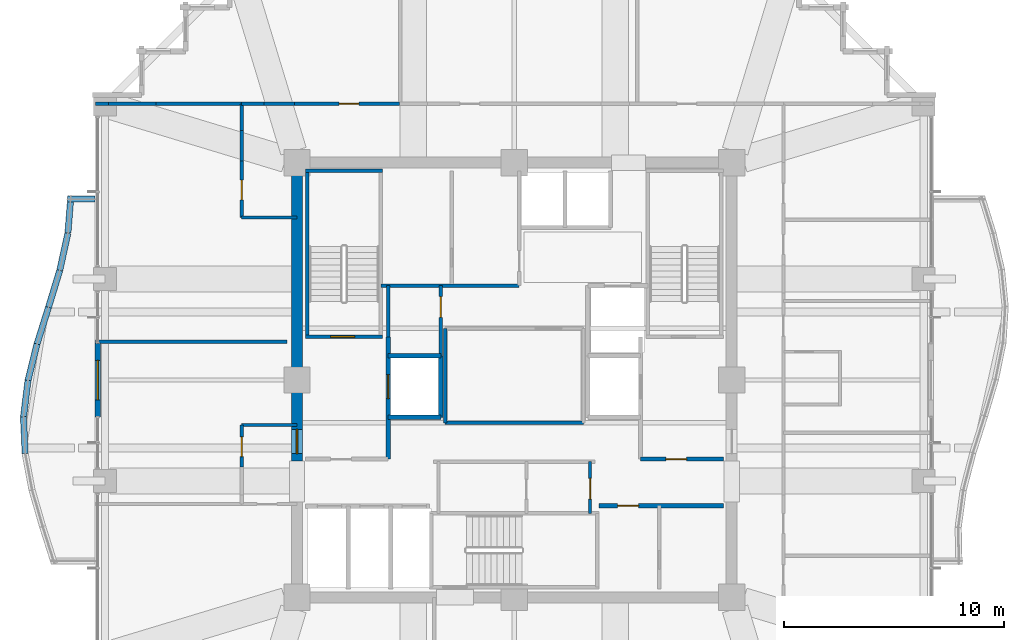
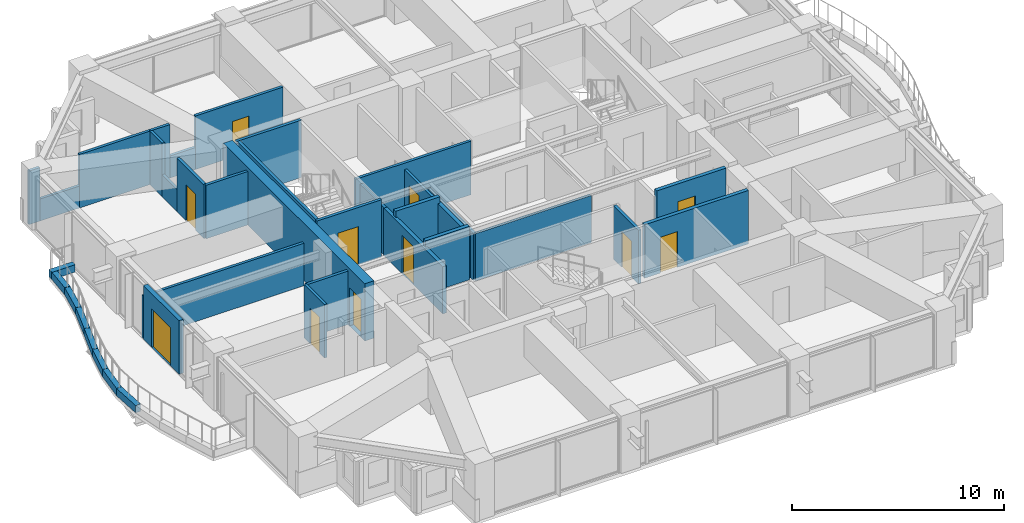
# One storey, part 31 of 36: 38 walls, 11 doors, 11 openings.
"""IFC4 building model written with IfcOpenShell, lengths in metres."""

from ifc_helpers import new_model, si_unit, direction, frame, frame_2d, origin, place, context, subcontext, project, spatial, rectangle, extrude, material, layer, layer_set, type_object, element, fill, save


model = new_model("IFC4")

# Units and contexts
model_context = context("Model", 3, precision=1e-05, world=origin(), true_north=direction((0.0, 1.0)))
body_context = subcontext(model_context, "Body", "Model", "MODEL_VIEW")
ifc_project = project(units=[si_unit("LENGTHUNIT", "METRE"), si_unit("AREAUNIT", "SQUARE_METRE"), si_unit("VOLUMEUNIT", "CUBIC_METRE"), si_unit("PLANEANGLEUNIT", "RADIAN"), si_unit("MASSUNIT", "GRAM", prefix="KILO")], contexts=[model_context])

# Site, building, storey
site_placement = place(None, origin())
site = spatial("IfcSite", under=ifc_project, at=site_placement, CompositionType="ELEMENT")
building_placement = place(site_placement, origin())
building = spatial("IfcBuilding", under=site, at=building_placement, Name="Kolvaren Belvedere", CompositionType="ELEMENT")
storey_placement = place(building_placement, frame((0.0, 0.0, 108.5)))
storey = spatial("IfcBuildingStorey", under=building, at=storey_placement, Name="L31", CompositionType="ELEMENT", Elevation=108.5)

# Wall, opening, door
ifc_material_1 = material(Name="Concrete C50/60", Category="concrete")
ifc_layer_1 = layer(ifc_material_1, 0.5)
ifc_layer_set_1 = layer_set([ifc_layer_1], Name="Concrete C50/60")
wall_type_1 = type_object("IfcWallType", Name="CW-CORE-500", PredefinedType="SHEAR", material=ifc_layer_set_1)
wall_1_placement = place(storey_placement, frame((-9.89990234375, -3.699951171875, 0.0), z_axis=(0.0, 0.0, 1.0), x_axis=(0.0, 1.0, 0.0)))
wall_1 = element("IfcWall", 1, at=wall_1_placement, inside=storey, type_object=wall_type_1, Name="L31 West Core Shear Wall 2", PredefinedType="SHEAR", context=body_context, shape_type="SweptSolid", body=[
    extrude(rectangle(XDim=13.349853515625, YDim=0.5, at=frame_2d((6.6748046875, 0.0))), origin(), (0.0, 0.0, 1.0), 3.300048828125),
])
opening_1_placement = place(wall_1_placement, frame((0.35009765625, 0.0, 0.0)))
opening_1 = element("IfcOpeningElement", 2, at=opening_1_placement, cuts=wall_1, Name="Opening D-FD90", PredefinedType="OPENING", context=body_context, shape_type="SweptSolid", body=[
    extrude(rectangle(XDim=1.10009765625, YDim=2.199951171875, at=frame_2d((0.550048828125, 1.10009765625))), frame((0.0, 0.260009765625, 0.0), z_axis=(0.0, -1.0, 0.0), x_axis=(1.0, 0.0, 0.0)), (0.0, 0.0, 1.0), 0.52001953125),
])
ifc_material_2 = material(Name="Painted hollow stainless steel", Category="steel")
door_type_1 = type_object("IfcDoorType", Name="DR-FD90-1100", OperationType="NOTDEFINED", PredefinedType="DOOR", material=ifc_material_2)
door_1_placement = place(opening_1_placement, origin())
door_1 = element("IfcDoor", 3, at=door_1_placement, inside=storey, type_object=door_type_1, Name="L31 West Firefighting Lobby Fire Door", OperationType="SINGLE_SWING_LEFT", OverallHeight=2.199951171875, OverallWidth=1.10009765625, PredefinedType="DOOR", context=body_context, shape_type="SweptSolid", body=[
    extrude(rectangle(XDim=1.10009765625, YDim=2.199951171875, at=frame_2d((0.550048828125, 1.10009765625))), frame((0.0, 0.02490234375, 0.0), z_axis=(0.0, -1.0, 0.0), x_axis=(1.0, 0.0, 0.0)), (0.0, 0.0, 1.0), 0.050048828125),
])
fill(opening_1, door_1)

ifc_material_3 = material(Name="Concrete C50/60", Category="concrete")
ifc_layer_2 = layer(ifc_material_3, 0.159912109375)
ifc_layer_set_2 = layer_set([ifc_layer_2], Name="Concrete C50/60")
wall_type_2 = type_object("IfcWallType", Name="CW-STAIR-160", PredefinedType="SHEAR", material=ifc_layer_set_2)
wall_2_placement = place(storey_placement, frame((-9.52001953125, 1.969970703125, 0.0), z_axis=(0.0, 0.0, 1.0), x_axis=(1.0, 0.0, 0.0)))
wall_2 = element("IfcWall", 4, at=wall_2_placement, inside=storey, type_object=wall_type_2, Name="L31 Stair ST-1 South Shear Wall", PredefinedType="SHEAR", context=body_context, shape_type="SweptSolid", body=[
    extrude(rectangle(XDim=3.52001953125, YDim=0.159912109375, at=frame_2d((1.760009765625, 0.0))), origin(), (0.0, 0.0, 1.0), 3.300048828125),
])
opening_2_placement = place(wall_2_placement, frame((1.14990234375, 0.0, 0.0)))
opening_2 = element("IfcOpeningElement", 5, at=opening_2_placement, cuts=wall_2, Name="Opening D-FD90", PredefinedType="OPENING", context=body_context, shape_type="SweptSolid", body=[
    extrude(rectangle(XDim=1.10009765625, YDim=2.199951171875, at=frame_2d((0.550048828125, 1.10009765625))), frame((0.0, 0.08984375, 0.0), z_axis=(0.0, -1.0, 0.0), x_axis=(1.0, 0.0, 0.0)), (0.0, 0.0, 1.0), 0.179931640625),
])
door_2_placement = place(opening_2_placement, origin())
door_2 = element("IfcDoor", 6, at=door_2_placement, inside=storey, type_object=door_type_1, Name="L31 Stair ST-1 Fire Door", OperationType="SINGLE_SWING_LEFT", OverallHeight=2.199951171875, OverallWidth=1.10009765625, PredefinedType="DOOR", context=body_context, shape_type="SweptSolid", body=[
    extrude(rectangle(XDim=1.10009765625, YDim=2.199951171875, at=frame_2d((0.550048828125, 1.10009765625))), frame((0.0, 0.02490234375, 0.0), z_axis=(0.0, -1.0, 0.0), x_axis=(1.0, 0.0, 0.0)), (0.0, 0.0, 1.0), 0.050048828125),
])
fill(opening_2, door_2)

# Walls
wall_3_placement = place(storey_placement, frame((-9.52001953125, 9.530029296875, 0.0), z_axis=(0.0, 0.0, 1.0), x_axis=(1.0, 0.0, 0.0)))
element("IfcWall", 7, at=wall_3_placement, inside=storey, type_object=wall_type_2, Name="L31 Stair ST-1 North Shear Wall", PredefinedType="SHEAR", context=body_context, shape_type="SweptSolid", body=[
    extrude(rectangle(XDim=3.52001953125, YDim=0.159912109375, at=frame_2d((1.760009765625, 0.0))), origin(), (0.0, 0.0, 1.0), 3.300048828125),
])
wall_4_placement = place(storey_placement, frame((-9.429931640625, 1.969970703125, 0.0), z_axis=(0.0, 0.0, 1.0), x_axis=(0.0, 1.0, 0.0)))
element("IfcWall", 8, at=wall_4_placement, inside=storey, type_object=wall_type_2, Name="L31 Stair ST-1 West Shear Wall", PredefinedType="SHEAR", context=body_context, shape_type="SweptSolid", body=[
    extrude(rectangle(XDim=7.56005859375, YDim=0.159912109375, at=frame_2d((3.780029296875, 0.0))), origin(), (0.0, 0.0, 1.0), 3.300048828125),
])
ifc_material_4 = material(Name="Gypsum fire-rated partition assembly", Category="gypsum")
ifc_layer_3 = layer(ifc_material_4, 0.14990234375)
ifc_layer_set_3 = layer_set([ifc_layer_3], Name="Gypsum fire-rated partition assembly")
wall_type_3 = type_object("IfcWallType", Name="WL-CORR-150", PredefinedType="PARTITIONING", material=ifc_layer_set_3)
wall_5_placement = place(storey_placement, frame((-12.419921875, 12.580078125, 0.0), z_axis=(0.0, 0.0, 1.0), x_axis=(1.0, 0.0, 0.0)))
element("IfcWall", 9, at=wall_5_placement, inside=storey, type_object=wall_type_3, Name="L31 North Corridor Wall", PredefinedType="PARTITIONING", context=body_context, shape_type="SweptSolid", body=[
    extrude(rectangle(XDim=1.012451171875, YDim=0.14990234375, at=frame_2d((0.50634765625, 0.0))), origin(), (0.0, 0.0, 1.0), 3.080078125),
])
wall_6_placement = place(storey_placement, frame((-11.407470703125, 12.580078125, 0.0), z_axis=(0.0, 0.0, 1.0), x_axis=(1.0, 0.0, 0.0)))
element("IfcWall", 10, at=wall_6_placement, inside=storey, type_object=wall_type_3, Name="L31 North Corridor Wall", PredefinedType="PARTITIONING", context=body_context, shape_type="SweptSolid", body=[
    extrude(rectangle(XDim=1.3916015625, YDim=0.14990234375, at=frame_2d((0.69580078125, 0.0))), origin(), (0.0, 0.0, 1.0), 1.264892578125),
])

# Wall, opening, door
wall_7_placement = place(storey_placement, frame((-10.015869140625, 12.580078125, 0.0), z_axis=(0.0, 0.0, 1.0), x_axis=(1.0, 0.0, 0.0)))
wall_7 = element("IfcWall", 11, at=wall_7_placement, inside=storey, type_object=wall_type_3, Name="L31 North Corridor Wall", PredefinedType="PARTITIONING", context=body_context, shape_type="SweptSolid", body=[
    extrude(rectangle(XDim=4.77392578125, YDim=0.14990234375, at=frame_2d((2.386962890625, 0.0))), origin(), (0.0, 0.0, 1.0), 3.080078125),
])
opening_3_placement = place(wall_7_placement, frame((2.03076171875, 0.0, 0.0)))
opening_3 = element("IfcOpeningElement", 12, at=opening_3_placement, cuts=wall_7, Name="Opening D-INT90", PredefinedType="OPENING", context=body_context, shape_type="SweptSolid", body=[
    extrude(rectangle(XDim=0.89990234375, YDim=2.06005859375, at=frame_2d((0.449951171875, 1.030029296875))), frame((0.0, 0.0849609375, 0.0), z_axis=(0.0, -1.0, 0.0), x_axis=(1.0, 0.0, 0.0)), (0.0, 0.0, 1.0), 0.169921875),
])
ifc_material_5 = material(Name="Stained Pacific white oak", Category="timber")
door_type_2 = type_object("IfcDoorType", Name="DR-INT-900", OperationType="NOTDEFINED", PredefinedType="DOOR", material=ifc_material_5)
door_3_placement = place(opening_3_placement, origin())
door_3 = element("IfcDoor", 13, at=door_3_placement, inside=storey, type_object=door_type_2, Name="L31 Private Hospitality Meeting Room 3101 Door", OperationType="SINGLE_SWING_RIGHT", OverallHeight=2.06005859375, OverallWidth=0.89990234375, PredefinedType="DOOR", context=body_context, shape_type="SweptSolid", body=[
    extrude(rectangle(XDim=0.89990234375, YDim=2.06005859375, at=frame_2d((0.449951171875, 1.030029296875))), frame((0.0, 0.02490234375, 0.0), z_axis=(0.0, -1.0, 0.0), x_axis=(1.0, 0.0, 0.0)), (0.0, 0.0, 1.0), 0.050048828125),
])
fill(opening_3, door_3)

wall_8_placement = place(storey_placement, frame((-12.419921875, 7.39990234375, 0.0), z_axis=(0.0, 0.0, 1.0), x_axis=(0.0, 1.0, 0.0)))
wall_8 = element("IfcWall", 14, at=wall_8_placement, inside=storey, type_object=wall_type_3, Name="L31 NW Corridor End Wall", PredefinedType="PARTITIONING", context=body_context, shape_type="SweptSolid", body=[
    extrude(rectangle(XDim=2.5673828125, YDim=0.14990234375, at=frame_2d((1.28369140625, 0.0))), origin(), (0.0, 0.0, 1.0), 3.080078125),
])
opening_4_placement = place(wall_8_placement, frame((0.81201171875, 0.0, 0.0)))
opening_4 = element("IfcOpeningElement", 15, at=opening_4_placement, cuts=wall_8, Name="Opening D-INT90", PredefinedType="OPENING", context=body_context, shape_type="SweptSolid", body=[
    extrude(rectangle(XDim=0.89990234375, YDim=2.06005859375, at=frame_2d((0.449951171875, 1.030029296875))), frame((0.0, 0.0849609375, 0.0), z_axis=(0.0, -1.0, 0.0), x_axis=(1.0, 0.0, 0.0)), (0.0, 0.0, 1.0), 0.169921875),
])
door_4_placement = place(opening_4_placement, origin())
door_4 = element("IfcDoor", 16, at=door_4_placement, inside=storey, type_object=door_type_2, Name="L31 Lounge 3109 Door", OperationType="SINGLE_SWING_LEFT", OverallHeight=2.06005859375, OverallWidth=0.89990234375, PredefinedType="DOOR", context=body_context, shape_type="SweptSolid", body=[
    extrude(rectangle(XDim=0.89990234375, YDim=2.06005859375, at=frame_2d((0.449951171875, 1.030029296875))), frame((0.0, 0.02490234375, 0.0), z_axis=(0.0, -1.0, 0.0), x_axis=(1.0, 0.0, 0.0)), (0.0, 0.0, 1.0), 0.050048828125),
])
fill(opening_4, door_4)

# Walls
wall_9_placement = place(storey_placement, frame((-12.419921875, 9.96728515625, 0.0), z_axis=(0.0, 0.0, 1.0), x_axis=(0.0, 1.0, 0.0)))
element("IfcWall", 17, at=wall_9_placement, inside=storey, type_object=wall_type_3, Name="L31 NW Corridor End Wall", PredefinedType="PARTITIONING", context=body_context, shape_type="SweptSolid", body=[
    extrude(rectangle(XDim=1.3916015625, YDim=0.14990234375, at=frame_2d((0.69580078125, 0.0))), origin(), (0.0, 0.0, 1.0), 1.264892578125),
])
wall_10_placement = place(storey_placement, frame((-12.419921875, 11.35888671875, 0.0), z_axis=(0.0, 0.0, 1.0), x_axis=(0.0, 1.0, 0.0)))
element("IfcWall", 18, at=wall_10_placement, inside=storey, type_object=wall_type_3, Name="L31 NW Corridor End Wall", PredefinedType="PARTITIONING", context=body_context, shape_type="SweptSolid", body=[
    extrude(rectangle(XDim=1.22119140625, YDim=0.14990234375, at=frame_2d((0.610595703125, 0.0))), origin(), (0.0, 0.0, 1.0), 3.080078125),
])
wall_11_placement = place(storey_placement, frame((-12.419921875, 7.39990234375, 0.0), z_axis=(0.0, 0.0, 1.0), x_axis=(1.0, 0.0, 0.0)))
element("IfcWall", 19, at=wall_11_placement, inside=storey, type_object=wall_type_3, Name="L31 NW Core Closure Wall", PredefinedType="PARTITIONING", context=body_context, shape_type="SweptSolid", body=[
    extrude(rectangle(XDim=2.52001953125, YDim=0.14990234375, at=frame_2d((1.260009765625, 0.0))), origin(), (0.0, 0.0, 1.0), 3.080078125),
])

# Wall, opening, door
wall_12_placement = place(storey_placement, frame((-12.419921875, -3.9580078125, 0.0), z_axis=(0.0, 0.0, 1.0), x_axis=(0.0, 1.0, 0.0)))
wall_12 = element("IfcWall", 20, at=wall_12_placement, inside=storey, type_object=wall_type_3, Name="L31 West FSAE Pocket Wall", PredefinedType="PARTITIONING", context=body_context, shape_type="SweptSolid", body=[
    extrude(rectangle(XDim=1.907958984375, YDim=0.14990234375, at=frame_2d((0.9541015625, 0.0))), origin(), (0.0, 0.0, 1.0), 3.080078125),
])
opening_5_placement = place(wall_12_placement, frame((0.464111328125, 0.0, 0.0)))
opening_5 = element("IfcOpeningElement", 21, at=opening_5_placement, cuts=wall_12, Name="Opening D-INT90", PredefinedType="OPENING", context=body_context, shape_type="SweptSolid", body=[
    extrude(rectangle(XDim=0.89990234375, YDim=2.06005859375, at=frame_2d((0.449951171875, 1.030029296875))), frame((0.0, 0.0849609375, 0.0), z_axis=(0.0, -1.0, 0.0), x_axis=(1.0, 0.0, 0.0)), (0.0, 0.0, 1.0), 0.169921875),
])
door_5_placement = place(opening_5_placement, origin())
door_5 = element("IfcDoor", 22, at=door_5_placement, inside=storey, type_object=door_type_2, Name="L31 Lounge 3110 Door", OperationType="SINGLE_SWING_RIGHT", OverallHeight=2.06005859375, OverallWidth=0.89990234375, PredefinedType="DOOR", context=body_context, shape_type="SweptSolid", body=[
    extrude(rectangle(XDim=0.89990234375, YDim=2.06005859375, at=frame_2d((0.449951171875, 1.030029296875))), frame((0.0, 0.02490234375, 0.0), z_axis=(0.0, -1.0, 0.0), x_axis=(1.0, 0.0, 0.0)), (0.0, 0.0, 1.0), 0.050048828125),
])
fill(opening_5, door_5)

# Wall
wall_13_placement = place(storey_placement, frame((-12.419921875, -2.050048828125, 0.0), z_axis=(0.0, 0.0, 1.0), x_axis=(1.0, 0.0, 0.0)))
element("IfcWall", 23, at=wall_13_placement, inside=storey, type_object=wall_type_3, Name="L31 West Pocket North Closure Wall", PredefinedType="PARTITIONING", context=body_context, shape_type="SweptSolid", body=[
    extrude(rectangle(XDim=2.52001953125, YDim=0.14990234375, at=frame_2d((1.260009765625, 0.0))), origin(), (0.0, 0.0, 1.0), 3.080078125),
])

# Wall, opening, door
ifc_material_6 = material(Name="Insulated pale-metal facade wall assembly", Category="aluminium")
ifc_layer_4 = layer(ifc_material_6, 0.239990234375)
ifc_layer_set_4 = layer_set([ifc_layer_4], Name="Insulated pale-metal facade wall assembly")
wall_type_4 = type_object("IfcWallType", Name="WL-EXT-240", PredefinedType="STANDARD", material=ifc_layer_set_4)
wall_14_placement = place(storey_placement, frame((-18.97998046875, -1.679931640625, 0.0), z_axis=(0.0, 0.0, 1.0), x_axis=(0.0, 1.0, 0.0)))
wall_14 = element("IfcWall", 24, at=wall_14_placement, inside=storey, type_object=wall_type_4, Name="L31 West Terrace Portal Wall", PredefinedType="STANDARD", context=body_context, shape_type="SweptSolid", body=[
    extrude(rectangle(XDim=3.35986328125, YDim=0.239990234375, at=frame_2d((1.679931640625, 0.0))), origin(), (0.0, 0.0, 1.0), 3.080078125),
])
opening_6_placement = place(wall_14_placement, frame((0.780029296875, 0.0, 0.0)))
opening_6 = element("IfcOpeningElement", 25, at=opening_6_placement, cuts=wall_14, Name="Opening DB-1800", PredefinedType="OPENING", context=body_context, shape_type="SweptSolid", body=[
    extrude(rectangle(XDim=1.800048828125, YDim=2.199951171875, at=frame_2d((0.89990234375, 1.10009765625))), frame((0.0, 0.1298828125, 0.0), z_axis=(0.0, -1.0, 0.0), x_axis=(1.0, 0.0, 0.0)), (0.0, 0.0, 1.0), 0.260009765625),
])
ifc_material_7 = material(Name="Thermally broken pale-metal aluminium & low-iron glass", Category="aluminium")
door_type_3 = type_object("IfcDoorType", Name="DR-BAL-1800", OperationType="DOUBLE_DOOR_SLIDING", PredefinedType="DOOR", material=ifc_material_7)
door_6_placement = place(opening_6_placement, origin())
door_6 = element("IfcDoor", 26, at=door_6_placement, inside=storey, type_object=door_type_3, Name="L31 West Planted Terrace Sliding Door", OperationType="DOUBLE_DOOR_SLIDING", OverallHeight=2.199951171875, OverallWidth=1.800048828125, PredefinedType="DOOR", context=body_context, shape_type="SweptSolid", body=[
    extrude(rectangle(XDim=1.800048828125, YDim=2.199951171875, at=frame_2d((0.89990234375, 1.10009765625))), frame((0.0, 0.02490234375, 0.0), z_axis=(0.0, -1.0, 0.0), x_axis=(1.0, 0.0, 0.0)), (0.0, 0.0, 1.0), 0.050048828125),
])
fill(opening_6, door_6)

# Walls
ifc_material_8 = material(Name="Fire-rated laminated glass partition", Category="glass")
ifc_layer_5 = layer(ifc_material_8, 0.14990234375)
ifc_layer_set_5 = layer_set([ifc_layer_5], Name="Fire-rated laminated glass partition")
wall_type_5 = type_object("IfcWallType", Name="WL-GLAZ-150", PredefinedType="PARTITIONING", material=ifc_layer_set_5)
wall_15_placement = place(storey_placement, frame((-3.14990234375, -1.949951171875, 0.0), z_axis=(0.0, 0.0, 1.0), x_axis=(1.0, 0.0, 0.0)))
element("IfcWall", 27, at=wall_15_placement, inside=storey, type_object=wall_type_5, Name="L31 Atrium Glazed Screen South", PredefinedType="PARTITIONING", context=body_context, shape_type="SweptSolid", body=[
    extrude(rectangle(XDim=6.2998046875, YDim=0.14990234375, at=frame_2d((3.14990234375, 0.0))), origin(), (0.0, 0.0, 1.0), 2.715087890625),
])
wall_16_placement = place(storey_placement, frame((-3.14990234375, -1.949951171875, 0.0), z_axis=(0.0, 0.0, 1.0), x_axis=(0.0, 1.0, 0.0)))
element("IfcWall", 28, at=wall_16_placement, inside=storey, type_object=wall_type_5, Name="L31 Atrium Glazed Screen West", PredefinedType="PARTITIONING", context=body_context, shape_type="SweptSolid", body=[
    extrude(rectangle(XDim=4.300048828125, YDim=0.14990234375, at=frame_2d((2.14990234375, 0.0))), origin(), (0.0, 0.0, 1.0), 2.715087890625),
])
ifc_material_9 = material(Name="Gypsum acoustic partition assembly", Category="gypsum")
ifc_layer_6 = layer(ifc_material_9, 0.14990234375)
ifc_layer_set_6 = layer_set([ifc_layer_6], Name="Gypsum acoustic partition assembly")
wall_type_6 = type_object("IfcWallType", Name="WL-PART-150", PredefinedType="PARTITIONING", material=ifc_layer_set_6)
wall_17_placement = place(storey_placement, frame((-6.080078125, 4.300048828125, 0.0), z_axis=(0.0, 0.0, 1.0), x_axis=(1.0, 0.0, 0.0)))
element("IfcWall", 29, at=wall_17_placement, inside=storey, type_object=wall_type_6, Name="L31 Reclaimed Salon South Wall", PredefinedType="PARTITIONING", context=body_context, shape_type="SweptSolid", body=[
    extrude(rectangle(XDim=6.300048828125, YDim=0.14990234375, at=frame_2d((3.14990234375, 0.0))), origin(), (0.0, 0.0, 1.0), 3.080078125),
])

# Wall, opening, door
wall_18_placement = place(storey_placement, frame((3.449951171875, -6.080078125, 0.0), z_axis=(0.0, 0.0, 1.0), x_axis=(0.0, 1.0, 0.0)))
wall_18 = element("IfcWall", 30, at=wall_18_placement, inside=storey, type_object=wall_type_6, Name="L31 South Core Service East Wall", PredefinedType="PARTITIONING", context=body_context, shape_type="SweptSolid", body=[
    extrude(rectangle(XDim=2.360107421875, YDim=0.14990234375, at=frame_2d((1.18017578125, 0.0))), origin(), (0.0, 0.0, 1.0), 3.080078125),
])
opening_7_placement = place(wall_18_placement, frame((0.64990234375, 0.0, 0.0)))
opening_7 = element("IfcOpeningElement", 31, at=opening_7_placement, cuts=wall_18, Name="Opening D-FD60", PredefinedType="OPENING", context=body_context, shape_type="SweptSolid", body=[
    extrude(rectangle(XDim=0.949951171875, YDim=2.06005859375, at=frame_2d((0.47509765625, 1.030029296875))), frame((0.0, 0.0849609375, 0.0), z_axis=(0.0, -1.0, 0.0), x_axis=(1.0, 0.0, 0.0)), (0.0, 0.0, 1.0), 0.169921875),
])
ifc_material_10 = material(Name="Acoustic white-oak fire door leaf", Category="timber")
door_type_4 = type_object("IfcDoorType", Name="DR-FD60-950", OperationType="NOTDEFINED", PredefinedType="DOOR", material=ifc_material_10)
door_7_placement = place(opening_7_placement, origin())
door_7 = element("IfcDoor", 32, at=door_7_placement, inside=storey, type_object=door_type_4, Name="L31 Core Service Room Door", OperationType="SINGLE_SWING_LEFT", OverallHeight=2.06005859375, OverallWidth=0.949951171875, PredefinedType="DOOR", context=body_context, shape_type="SweptSolid", body=[
    extrude(rectangle(XDim=0.949951171875, YDim=2.06005859375, at=frame_2d((0.47509765625, 1.030029296875))), frame((0.0, 0.02490234375, 0.0), z_axis=(0.0, -1.0, 0.0), x_axis=(1.0, 0.0, 0.0)), (0.0, 0.0, 1.0), 0.050048828125),
])
fill(opening_7, door_7)

wall_19_placement = place(storey_placement, frame((-3.35009765625, 1.10009765625, 0.0), z_axis=(0.0, 0.0, 1.0), x_axis=(0.0, 1.0, 0.0)))
wall_19 = element("IfcWall", 33, at=wall_19_placement, inside=storey, type_object=wall_type_6, Name="L31 NW Service Room East Wall", PredefinedType="PARTITIONING", context=body_context, shape_type="SweptSolid", body=[
    extrude(rectangle(XDim=3.199951171875, YDim=0.14990234375, at=frame_2d((1.60009765625, 0.0))), origin(), (0.0, 0.0, 1.0), 2.715087890625),
])
opening_8_placement = place(wall_19_placement, frame((1.75, 0.0, 0.0)))
opening_8 = element("IfcOpeningElement", 34, at=opening_8_placement, cuts=wall_19, Name="Opening D-FD60", PredefinedType="OPENING", context=body_context, shape_type="SweptSolid", body=[
    extrude(rectangle(XDim=0.949951171875, YDim=2.06005859375, at=frame_2d((0.47509765625, 1.030029296875))), frame((0.0, 0.0849609375, 0.0), z_axis=(0.0, -1.0, 0.0), x_axis=(1.0, 0.0, 0.0)), (0.0, 0.0, 1.0), 0.169921875),
])
door_8_placement = place(opening_8_placement, origin())
door_8 = element("IfcDoor", 35, at=door_8_placement, inside=storey, type_object=door_type_4, Name="L31 NW Core Store Door", OperationType="SINGLE_SWING_LEFT", OverallHeight=2.06005859375, OverallWidth=0.949951171875, PredefinedType="DOOR", context=body_context, shape_type="SweptSolid", body=[
    extrude(rectangle(XDim=0.949951171875, YDim=2.06005859375, at=frame_2d((0.47509765625, 1.030029296875))), frame((0.0, 0.02490234375, 0.0), z_axis=(0.0, -1.0, 0.0), x_axis=(1.0, 0.0, 0.0)), (0.0, 0.0, 1.0), 0.050048828125),
])
fill(opening_8, door_8)

# Walls
wall_20_placement = place(storey_placement, frame((-5.75, 1.969970703125, 0.0), z_axis=(0.0, 0.0, 1.0), x_axis=(0.0, 1.0, 0.0)))
element("IfcWall", 36, at=wall_20_placement, inside=storey, type_object=wall_type_6, Name="L31 NW Service Room West Wall", PredefinedType="PARTITIONING", context=body_context, shape_type="SweptSolid", body=[
    extrude(rectangle(XDim=2.330078125, YDim=0.14990234375, at=frame_2d((1.1650390625, 0.0))), origin(), (0.0, 0.0, 1.0), 2.715087890625),
])
wall_21_placement = place(storey_placement, frame((-19.080078125, 12.580078125, 0.0), z_axis=(0.0, 0.0, 1.0), x_axis=(1.0, 0.0, 0.0)))
element("IfcWall", 37, at=wall_21_placement, inside=storey, type_object=wall_type_6, Name="L31 Wing Divider PW-L31-QNW", PredefinedType="PARTITIONING", context=body_context, shape_type="SweptSolid", body=[
    extrude(rectangle(XDim=0.602294921875, YDim=0.14990234375, at=frame_2d((0.30126953125, 0.0))), origin(), (0.0, 0.0, 1.0), 3.080078125),
])
wall_22_placement = place(storey_placement, frame((-18.477783203125, 12.580078125, 0.0), z_axis=(0.0, 0.0, 1.0), x_axis=(1.0, 0.0, 0.0)))
element("IfcWall", 38, at=wall_22_placement, inside=storey, type_object=wall_type_6, Name="L31 Wing Divider PW-L31-QNW", PredefinedType="PARTITIONING", context=body_context, shape_type="SweptSolid", body=[
    extrude(rectangle(XDim=2.1572265625, YDim=0.14990234375, at=frame_2d((1.07861328125, 0.0))), origin(), (0.0, 0.0, 1.0), 1.264892578125),
])
wall_23_placement = place(storey_placement, frame((-16.320556640625, 12.580078125, 0.0), z_axis=(0.0, 0.0, 1.0), x_axis=(1.0, 0.0, 0.0)))
element("IfcWall", 39, at=wall_23_placement, inside=storey, type_object=wall_type_6, Name="L31 Wing Divider PW-L31-QNW", PredefinedType="PARTITIONING", context=body_context, shape_type="SweptSolid", body=[
    extrude(rectangle(XDim=3.900634765625, YDim=0.14990234375, at=frame_2d((1.9501953125, 0.0))), origin(), (0.0, 0.0, 1.0), 3.080078125),
])
wall_24_placement = place(storey_placement, frame((-19.080078125, 1.75, 0.0), z_axis=(0.0, 0.0, 1.0), x_axis=(1.0, 0.0, 0.0)))
element("IfcWall", 40, at=wall_24_placement, inside=storey, type_object=wall_type_6, Name="L31 West Upper Suite Divider", PredefinedType="PARTITIONING", context=body_context, shape_type="SweptSolid", body=[
    extrude(rectangle(XDim=8.719970703125, YDim=0.14990234375, at=frame_2d((4.35986328125, 0.0))), origin(), (0.0, 0.0, 1.0), 2.448974609375),
])
ifc_material_11 = material(Name="Precast concrete C40/50", Category="concrete")
ifc_layer_7 = layer(ifc_material_11, 0.300048828125)
ifc_layer_set_7 = layer_set([ifc_layer_7], Name="Precast concrete C40/50")
wall_type_7 = type_object("IfcWallType", Name="WL-PLANTER-300", PredefinedType="PARAPET", material=ifc_layer_set_7)
wall_25_placement = place(storey_placement, frame((-20.200439453125, 8.38720703125, -0.0400390625), z_axis=(0.0, 0.0, 1.0), x_axis=(-0.079244268248, -0.99685522818, 0.0)))
element("IfcWall", 41, at=wall_25_placement, inside=storey, type_object=wall_type_7, Name="L31 Precast Structural Planter Wall BAL-W-1", PredefinedType="PARAPET", context=body_context, shape_type="SweptSolid", body=[
    extrude(rectangle(XDim=1.685302734375, YDim=0.280029296875, at=frame_2d((0.8427734375, 0.0))), origin(), (0.0, 0.0, 1.0), 0.419921875),
])
wall_26_placement = place(storey_placement, frame((-20.33740234375, 6.685791015625, -0.0400390625), z_axis=(0.0, 0.0, 1.0), x_axis=(-0.213802724545, -0.976876857632, 0.0)))
element("IfcWall", 42, at=wall_26_placement, inside=storey, type_object=wall_type_7, Name="L31 Precast Structural Planter Wall BAL-W-2", PredefinedType="PARAPET", context=body_context, shape_type="SweptSolid", body=[
    extrude(rectangle(XDim=1.7197265625, YDim=0.280029296875, at=frame_2d((0.85986328125, 0.0))), origin(), (0.0, 0.0, 1.0), 0.419921875),
])
wall_27_placement = place(storey_placement, frame((-20.708251953125, 4.993408203125, -0.0400390625), z_axis=(0.0, 0.0, 1.0), x_axis=(-0.290879426191, -0.956759718748, 0.0)))
element("IfcWall", 43, at=wall_27_placement, inside=storey, type_object=wall_type_7, Name="L31 Precast Structural Planter Wall BAL-W-3", PredefinedType="PARAPET", context=body_context, shape_type="SweptSolid", body=[
    extrude(rectangle(XDim=1.755859375, YDim=0.280029296875, at=frame_2d((0.8779296875, 0.0))), origin(), (0.0, 0.0, 1.0), 0.419921875),
])
wall_28_placement = place(storey_placement, frame((-21.219482421875, 3.31201171875, -0.0400390625), z_axis=(0.0, 0.0, 1.0), x_axis=(-0.299750886874, -0.95401750813, 0.0)))
element("IfcWall", 44, at=wall_28_placement, inside=storey, type_object=wall_type_7, Name="L31 Precast Structural Planter Wall BAL-W-4", PredefinedType="PARAPET", context=body_context, shape_type="SweptSolid", body=[
    extrude(rectangle(XDim=1.760986328125, YDim=0.280029296875, at=frame_2d((0.88037109375, 0.0))), origin(), (0.0, 0.0, 1.0), 0.419921875),
])
wall_29_placement = place(storey_placement, frame((-21.744384765625, 1.6416015625, -0.0400390625), z_axis=(0.0, 0.0, 1.0), x_axis=(-0.239180748277, -0.970975061293, 0.0)))
element("IfcWall", 45, at=wall_29_placement, inside=storey, type_object=wall_type_7, Name="L31 Precast Structural Planter Wall BAL-W-5", PredefinedType="PARAPET", context=body_context, shape_type="SweptSolid", body=[
    extrude(rectangle(XDim=1.730224609375, YDim=0.280029296875, at=frame_2d((0.865234375, 0.0))), origin(), (0.0, 0.0, 1.0), 0.419921875),
])
wall_30_placement = place(storey_placement, frame((-22.15478515625, -0.01953125, -0.0400390625), z_axis=(0.0, 0.0, 1.0), x_axis=(-0.121886315522, -0.99254406758, 0.0)))
element("IfcWall", 46, at=wall_30_placement, inside=storey, type_object=wall_type_7, Name="L31 Precast Structural Planter Wall BAL-W-6", PredefinedType="PARAPET", context=body_context, shape_type="SweptSolid", body=[
    extrude(rectangle(XDim=1.692626953125, YDim=0.280029296875, at=frame_2d((0.84619140625, 0.0))), origin(), (0.0, 0.0, 1.0), 0.419921875),
])
wall_31_placement = place(storey_placement, frame((-22.360107421875, -1.6728515625, -0.0400390625), z_axis=(0.0, 0.0, 1.0), x_axis=(0.045005941428, -0.998986719249, 0.0)))
element("IfcWall", 47, at=wall_31_placement, inside=storey, type_object=wall_type_7, Name="L31 Precast Structural Planter Wall BAL-W-7", PredefinedType="PARAPET", context=body_context, shape_type="SweptSolid", body=[
    extrude(rectangle(XDim=1.681640625, YDim=0.280029296875, at=frame_2d((0.8408203125, 0.0))), origin(), (0.0, 0.0, 1.0), 0.419921875),
])
wall_32_placement = place(storey_placement, frame((-19.10009765625, 8.239990234375, -0.0400390625), z_axis=(0.0, 0.0, 1.0), x_axis=(-1.0, 0.0, 0.0)))
element("IfcWall", 48, at=wall_32_placement, inside=storey, type_object=wall_type_7, Name="L31 Precast Structural Planter Wall BAL-W-22", PredefinedType="PARAPET", context=body_context, shape_type="SweptSolid", body=[
    extrude(rectangle(XDim=1.260009765625, YDim=0.280029296875, at=frame_2d((0.6298828125, 0.0))), origin(), (0.0, 0.0, 1.0), 0.419921875),
])

# Wall, opening, door
ifc_material_12 = material(Name="Concrete C50/60", Category="concrete")
ifc_layer_8 = layer(ifc_material_12, 0.199951171875)
ifc_layer_set_8 = layer_set([ifc_layer_8], Name="Concrete C50/60")
wall_type_8 = type_object("IfcWallType", Name="WL-SHAFT-200", PredefinedType="SOLIDWALL", material=ifc_layer_set_8)
wall_33_placement = place(storey_placement, frame((-5.75, -3.60009765625, 0.0), z_axis=(0.0, 0.0, 1.0), x_axis=(0.0, 1.0, 0.0)))
wall_33 = element("IfcWall", 49, at=wall_33_placement, inside=storey, type_object=wall_type_8, Name="L31 FSAE FS1 Landing Wall", PredefinedType="SOLIDWALL", context=body_context, shape_type="SweptSolid", body=[
    extrude(rectangle(XDim=5.570068359375, YDim=0.199951171875, at=frame_2d((2.78515625, 0.0))), origin(), (0.0, 0.0, 1.0), 2.715087890625),
])
opening_9_placement = place(wall_33_placement, frame((2.75, 0.0, 0.0)))
opening_9 = element("IfcOpeningElement", 50, at=opening_9_placement, cuts=wall_33, Name="Opening LD-11", PredefinedType="OPENING", context=body_context, shape_type="SweptSolid", body=[
    extrude(rectangle(XDim=1.10009765625, YDim=2.199951171875, at=frame_2d((0.550048828125, 1.10009765625))), frame((0.0, 0.10986328125, 0.0), z_axis=(0.0, -1.0, 0.0), x_axis=(1.0, 0.0, 0.0)), (0.0, 0.0, 1.0), 0.219970703125),
])
ifc_material_13 = material(Name="Brushed stainless steel", Category="steel")
door_type_5 = type_object("IfcDoorType", Name="DR-LIFT-1100", OperationType="DOUBLE_DOOR_SLIDING", PredefinedType="DOOR", material=ifc_material_13)
door_9_placement = place(opening_9_placement, origin())
door_9 = element("IfcDoor", 51, at=door_9_placement, inside=storey, type_object=door_type_5, Name="L31 Firefighting Lift FS1 Landing Door", OperationType="DOUBLE_DOOR_SLIDING", OverallHeight=2.199951171875, OverallWidth=1.10009765625, PredefinedType="DOOR", context=body_context, shape_type="SweptSolid", body=[
    extrude(rectangle(XDim=1.10009765625, YDim=2.199951171875, at=frame_2d((0.550048828125, 1.10009765625))), frame((0.0, 0.02490234375, 0.0), z_axis=(0.0, -1.0, 0.0), x_axis=(1.0, 0.0, 0.0)), (0.0, 0.0, 1.0), 0.050048828125),
])
fill(opening_9, door_9)

# Walls
wall_34_placement = place(storey_placement, frame((-3.35009765625, -1.699951171875, 0.0), z_axis=(0.0, 0.0, 1.0), x_axis=(0.0, 1.0, 0.0)))
element("IfcWall", 52, at=wall_34_placement, inside=storey, type_object=wall_type_8, Name="L31 FSAE FS1 Back Wall", PredefinedType="SOLIDWALL", context=body_context, shape_type="SweptSolid", body=[
    extrude(rectangle(XDim=2.800048828125, YDim=0.199951171875, at=frame_2d((1.39990234375, 0.0))), origin(), (0.0, 0.0, 1.0), 2.715087890625),
])
for number, where, z_axis, x_axis, name in (
    (53, (-5.75, -1.699951171875, 0.0), (0.0, 0.0, 1.0), (1.0, 0.0, 0.0), "L31 FSAE FS1 South Wall"),
    (54, (-5.75, 1.10009765625, 0.0), (0.0, 0.0, 1.0), (1.0, 0.0, 0.0), "L31 FSAE FS1 North Wall"),
):
    element("IfcWall", number, at=place(storey_placement, frame(where, z_axis=z_axis, x_axis=x_axis)), inside=storey, type_object=wall_type_8, Name=name, PredefinedType="SOLIDWALL", context=body_context, shape_type="SweptSolid", body=[
        extrude(rectangle(XDim=2.39990234375, YDim=0.199951171875, at=frame_2d((1.199951171875, 0.0))), origin(), (0.0, 0.0, 1.0), 3.080078125),
    ])

# Wall, opening, door
wall_35_placement = place(storey_placement, frame((5.75, -3.60009765625, 0.0), z_axis=(0.0, 0.0, 1.0), x_axis=(1.0, 0.0, 0.0)))
wall_35 = element("IfcWall", 55, at=wall_35_placement, inside=storey, type_object=wall_type_8, Name="L31 East FSAE Lobby South Wall", PredefinedType="SOLIDWALL", context=body_context, shape_type="SweptSolid", body=[
    extrude(rectangle(XDim=3.77001953125, YDim=0.199951171875, at=frame_2d((1.885009765625, 0.0))), origin(), (0.0, 0.0, 1.0), 3.080078125),
])
opening_10_placement = place(wall_35_placement, frame((1.14990234375, 0.0, 0.0)))
opening_10 = element("IfcOpeningElement", 56, at=opening_10_placement, cuts=wall_35, Name="Opening D-FD60", PredefinedType="OPENING", context=body_context, shape_type="SweptSolid", body=[
    extrude(rectangle(XDim=0.949951171875, YDim=2.06005859375, at=frame_2d((0.47509765625, 1.030029296875))), frame((0.0, 0.10986328125, 0.0), z_axis=(0.0, -1.0, 0.0), x_axis=(1.0, 0.0, 0.0)), (0.0, 0.0, 1.0), 0.219970703125),
])
door_10_placement = place(opening_10_placement, origin())
door_10 = element("IfcDoor", 57, at=door_10_placement, inside=storey, type_object=door_type_4, Name="L31 SE Lift Lobby Fire Door", OperationType="SINGLE_SWING_RIGHT", OverallHeight=2.06005859375, OverallWidth=0.949951171875, PredefinedType="DOOR", context=body_context, shape_type="SweptSolid", body=[
    extrude(rectangle(XDim=0.949951171875, YDim=2.06005859375, at=frame_2d((0.47509765625, 1.030029296875))), frame((0.0, 0.02490234375, 0.0), z_axis=(0.0, -1.0, 0.0), x_axis=(1.0, 0.0, 0.0)), (0.0, 0.0, 1.0), 0.050048828125),
])
fill(opening_10, door_10)

wall_36_placement = place(storey_placement, frame((3.860107421875, -5.719970703125, 0.0), z_axis=(0.0, 0.0, 1.0), x_axis=(1.0, 0.0, 0.0)))
wall_36 = element("IfcWall", 58, at=wall_36_placement, inside=storey, type_object=wall_type_8, Name="L31 SE Core Distribution Wall", PredefinedType="SOLIDWALL", context=body_context, shape_type="SweptSolid", body=[
    extrude(rectangle(XDim=5.659912109375, YDim=0.199951171875, at=frame_2d((2.830078125, 0.0))), origin(), (0.0, 0.0, 1.0), 3.080078125),
])
opening_11_placement = place(wall_36_placement, frame((0.85009765625, 0.0, 0.0)))
opening_11 = element("IfcOpeningElement", 59, at=opening_11_placement, cuts=wall_36, Name="Opening D-FD60", PredefinedType="OPENING", context=body_context, shape_type="SweptSolid", body=[
    extrude(rectangle(XDim=0.949951171875, YDim=2.06005859375, at=frame_2d((0.47509765625, 1.030029296875))), frame((0.0, 0.10986328125, 0.0), z_axis=(0.0, -1.0, 0.0), x_axis=(1.0, 0.0, 0.0)), (0.0, 0.0, 1.0), 0.219970703125),
])
door_11_placement = place(opening_11_placement, origin())
door_11 = element("IfcDoor", 60, at=door_11_placement, inside=storey, type_object=door_type_4, Name="L31 SE Telecom Door", OperationType="SINGLE_SWING_RIGHT", OverallHeight=2.06005859375, OverallWidth=0.949951171875, PredefinedType="DOOR", context=body_context, shape_type="SweptSolid", body=[
    extrude(rectangle(XDim=0.949951171875, YDim=2.06005859375, at=frame_2d((0.47509765625, 1.030029296875))), frame((0.0, 0.02490234375, 0.0), z_axis=(0.0, -1.0, 0.0), x_axis=(1.0, 0.0, 0.0)), (0.0, 0.0, 1.0), 0.050048828125),
])
fill(opening_11, door_11)

save(model, "model.ifc")
